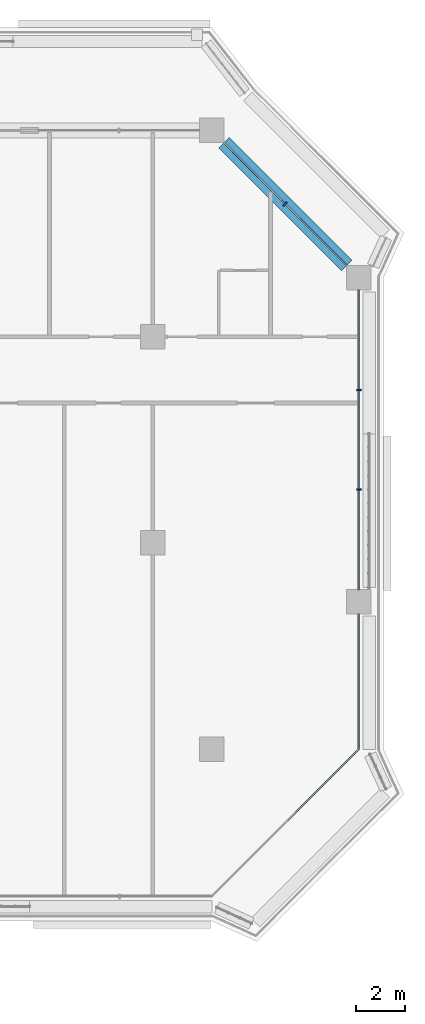
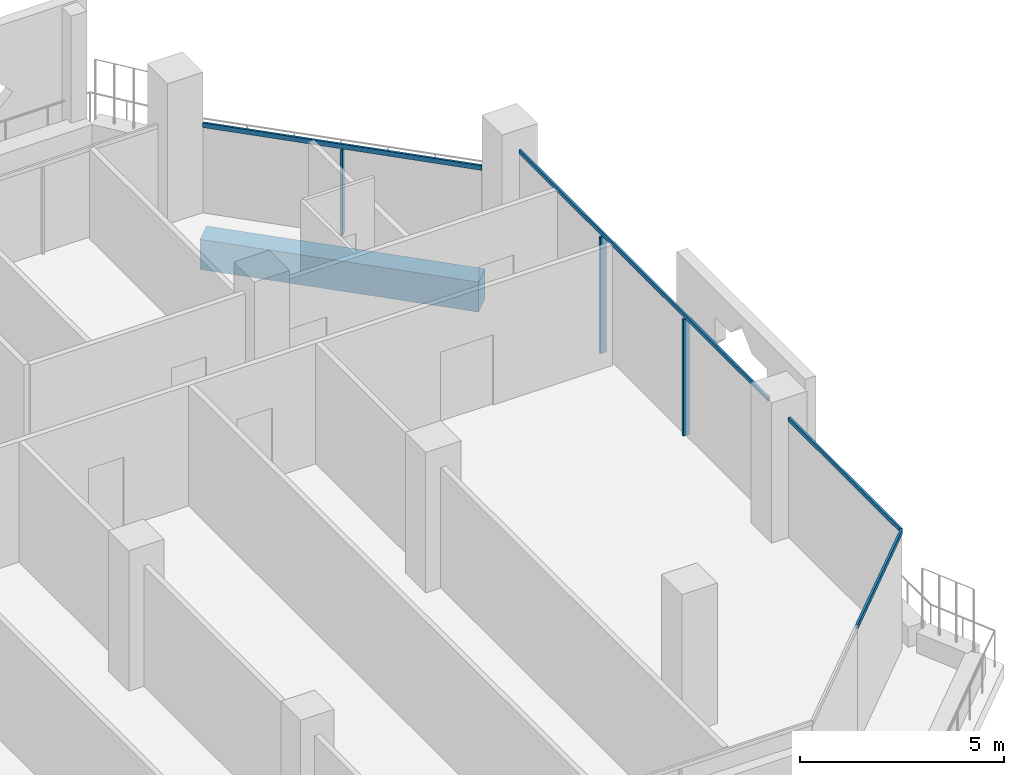
# One storey, part 7 of 21: 7 members, 1 beam, 3 elements without a shape of their own.
"""IFC4 building model written with IfcOpenShell, lengths in metres."""

from ifc_helpers import new_model, si_unit, direction, frame, origin, origin_2d, place, context, subcontext, project, spatial, rectangle, extrude, material, layer, layer_set, material_profile, profile_set, type_object, element, aggregate, save


model = new_model("IFC4")

# Units and contexts
model_context = context("Model", 3, precision=1e-05, world=origin(), true_north=direction((0.0, 1.0)))
body_context = subcontext(model_context, "Body", "Model", "MODEL_VIEW")
ifc_project = project(units=[si_unit("LENGTHUNIT", "METRE"), si_unit("AREAUNIT", "SQUARE_METRE"), si_unit("VOLUMEUNIT", "CUBIC_METRE"), si_unit("PLANEANGLEUNIT", "RADIAN"), si_unit("MASSUNIT", "GRAM", prefix="KILO")], contexts=[model_context])

# Site, building, storey
site_placement = place(None, origin())
site = spatial("IfcSite", under=ifc_project, at=site_placement, CompositionType="ELEMENT")
building_placement = place(site_placement, origin())
building = spatial("IfcBuilding", under=site, at=building_placement, Name="Kawkab Arch Medical Tower", CompositionType="ELEMENT")
storey_placement = place(building_placement, frame((0.0, 0.0, 200.39990234375)))
storey = spatial("IfcBuildingStorey", under=building, at=storey_placement, Name="L46", CompositionType="ELEMENT", Elevation=200.39990234375)

# Curtain wall, members
ifc_material_1 = material(Name="Bronze anodised aluminium curtain wall frame", Category="aluminium")
ifc_layer_1 = layer(ifc_material_1, 0.159912109375)
ifc_layer_set_1 = layer_set([ifc_layer_1], Name="Bronze anodised aluminium curtain wall frame")
curtain_wall_type_1 = type_object("IfcCurtainWallType", Name="CW1 ward curtain wall", PredefinedType="NOTDEFINED", material=ifc_layer_set_1)
placement = place(storey_placement, origin())
curtain_wall_1 = element("IfcCurtainWall", 1, at=placement, inside=storey, type_object=curtain_wall_type_1, Name="CW1 Ward curtain wall R09", PredefinedType="NOTDEFINED")
ifc_material_2 = material(Name="Bronze anodised aluminium curtain wall frame", Category="aluminium")
ifc_material_profile_1 = material_profile(ifc_material_2, rectangle(XDim=0.179931640625, YDim=0.06005859375, at=origin_2d()), Name="AL 60x180")
ifc_profile_set_1 = profile_set([ifc_material_profile_1], Name="Bronze anodised aluminium curtain wall frame")
member_type_1 = type_object("IfcMemberType", Name="CW1 mullion 60 x 180", PredefinedType="MULLION", material=ifc_profile_set_1)
member_1_placement = place(storey_placement, frame((67.199951171875, -14.63330078125, 0.0), z_axis=(0.0, 0.0, 1.0), x_axis=(-1.0, 0.0, 0.0)))
member_1 = element("IfcMember", 2, at=member_1_placement, type_object=member_type_1, Name="CW1 mullion 2.1", PredefinedType="MULLION", context=body_context, shape_type="SweptSolid", body=[
    extrude(rectangle(XDim=0.179931640625, YDim=0.06005859375, at=origin_2d()), origin(), (0.0, 0.0, 1.0), 3.47998046875),
])
member_2_placement = place(storey_placement, frame((67.199951171875, -10.566650390625, 0.0), z_axis=(0.0, 0.0, 1.0), x_axis=(-1.0, 0.0, 0.0)))
member_2 = element("IfcMember", 3, at=member_2_placement, type_object=member_type_1, Name="CW1 mullion 2.2", PredefinedType="MULLION", context=body_context, shape_type="SweptSolid", body=[
    extrude(rectangle(XDim=0.179931640625, YDim=0.06005859375, at=origin_2d()), origin(), (0.0, 0.0, 1.0), 3.47998046875),
])
ifc_material_3 = material(Name="Bronze anodised aluminium curtain wall frame", Category="aluminium")
ifc_material_profile_2 = material_profile(ifc_material_3, rectangle(XDim=0.06005859375, YDim=0.1201171875, at=origin_2d()), Name="AL 60x120")
ifc_profile_set_2 = profile_set([ifc_material_profile_2], Name="Bronze anodised aluminium curtain wall frame")
member_type_2 = type_object("IfcMemberType", Name="CW1 transom 120 x 60", PredefinedType="USERDEFINED", material=ifc_profile_set_2)
member_3_placement = place(storey_placement, frame((67.199951171875, -25.199951171875, 3.5400390625), z_axis=(0.0, 1.0, 0.0), x_axis=(-1.0, 0.0, 0.0)))
member_3 = element("IfcMember", 4, at=member_3_placement, type_object=member_type_2, Name="CW1 transom 1", ObjectType="TRANSOM", PredefinedType="USERDEFINED", context=body_context, shape_type="SweptSolid", body=[
    extrude(rectangle(XDim=0.06005859375, YDim=0.1201171875, at=origin_2d()), origin(), (0.0, 0.0, 1.0), 5.5),
])
member_4_placement = place(storey_placement, frame((67.199951171875, -18.699951171875, 3.5400390625), z_axis=(0.0, 1.0, 0.0), x_axis=(-1.0, 0.0, 0.0)))
member_4 = element("IfcMember", 5, at=member_4_placement, type_object=member_type_2, Name="CW1 transom 2", ObjectType="TRANSOM", PredefinedType="USERDEFINED", context=body_context, shape_type="SweptSolid", body=[
    extrude(rectangle(XDim=0.06005859375, YDim=0.1201171875, at=origin_2d()), origin(), (0.0, 0.0, 1.0), 12.199951171875),
])
aggregate(curtain_wall_1, [member_3, member_4, member_1, member_2])

# Curtain wall, member
ifc_material_4 = material(Name="Bronze anodised aluminium curtain wall frame", Category="aluminium")
ifc_layer_2 = layer(ifc_material_4, 0.159912109375)
ifc_layer_set_2 = layer_set([ifc_layer_2], Name="Bronze anodised aluminium curtain wall frame")
curtain_wall_type_2 = type_object("IfcCurtainWallType", Name="CW2 chamfer curtain wall", PredefinedType="NOTDEFINED", material=ifc_layer_set_2)
curtain_wall_2 = element("IfcCurtainWall", 6, at=placement, inside=storey, type_object=curtain_wall_type_2, Name="CW2 Chamfer curtain wall R10", PredefinedType="NOTDEFINED")
ifc_material_5 = material(Name="Bronze anodised aluminium curtain wall frame", Category="aluminium")
ifc_material_profile_3 = material_profile(ifc_material_5, rectangle(XDim=0.199951171875, YDim=0.06005859375, at=origin_2d()), Name="AL 60x200")
ifc_profile_set_3 = profile_set([ifc_material_profile_3], Name="Bronze anodised aluminium curtain wall frame")
member_type_3 = type_object("IfcMemberType", Name="CW2 mullion 60 x 200", PredefinedType="MULLION", material=ifc_profile_set_3)
member_5_placement = place(storey_placement, frame((64.199951171875, -3.0, 0.0), z_axis=(0.0, 0.0, 1.0), x_axis=(-0.707106781187, -0.707106781187, 0.0)))
member_5 = element("IfcMember", 7, at=member_5_placement, type_object=member_type_3, Name="CW2 mullion 1.1", PredefinedType="MULLION", context=body_context, shape_type="SweptSolid", body=[
    extrude(rectangle(XDim=0.199951171875, YDim=0.06005859375, at=origin_2d()), origin(), (0.0, 0.0, 1.0), 2.56005859375),
])

curtain_wall_3 = element("IfcCurtainWall", 8, at=placement, inside=storey, type_object=curtain_wall_type_2, Name="CW2 Chamfer curtain wall R08", PredefinedType="NOTDEFINED")
ifc_material_6 = material(Name="Bronze anodised aluminium curtain wall frame", Category="aluminium")
ifc_material_profile_4 = material_profile(ifc_material_6, rectangle(XDim=0.06005859375, YDim=0.139892578125, at=origin_2d()), Name="AL 60x140")
ifc_profile_set_4 = profile_set([ifc_material_profile_4], Name="Bronze anodised aluminium curtain wall frame")
member_type_4 = type_object("IfcMemberType", Name="CW2 transom 140 x 60", PredefinedType="USERDEFINED", material=ifc_profile_set_4)
member_6_placement = place(storey_placement, frame((64.199951171875, -28.199951171875, 3.530029296875), z_axis=(0.707106781187, 0.707106781187, 0.0), x_axis=(-0.707106781187, 0.707106781187, 0.0)))
member_6 = element("IfcMember", 9, at=member_6_placement, type_object=member_type_4, Name="CW2 transom 2", ObjectType="TRANSOM", PredefinedType="USERDEFINED", context=body_context, shape_type="SweptSolid", body=[
    extrude(rectangle(XDim=0.06005859375, YDim=0.139892578125, at=origin_2d()), origin(), (0.0, 0.0, 1.0), 4.24267578125),
])
aggregate(curtain_wall_3, [member_6])

# Member
member_7_placement = place(storey_placement, frame((66.699951171875, -5.5, 2.630126953125), z_axis=(-0.707106781187, 0.707106781187, 0.0), x_axis=(-0.707106781187, -0.707106781187, 0.0)))
member_7 = element("IfcMember", 10, at=member_7_placement, type_object=member_type_4, Name="CW2 transom 1", ObjectType="TRANSOM", PredefinedType="USERDEFINED", context=body_context, shape_type="SweptSolid", body=[
    extrude(rectangle(XDim=0.06005859375, YDim=0.139892578125, at=origin_2d()), origin(), (0.0, 0.0, 1.0), 7.071044921875),
])

aggregate(curtain_wall_2, [member_7, member_5])

# Beam
ifc_material_7 = material(Name="Concrete C50/60", Category="concrete")
ifc_material_profile_5 = material_profile(ifc_material_7, rectangle(XDim=0.60009765625, YDim=0.89990234375, at=origin_2d()), Name="RC 600x900")
ifc_profile_set_5 = profile_set([ifc_material_profile_5], Name="Concrete C50/60")
beam_type = type_object("IfcBeamType", Name="RC 600x900 beam C50/60", PredefinedType="BEAM", material=ifc_profile_set_5)
beam_placement = place(storey_placement, frame((61.699951171875, -0.5, -1.0498046875), z_axis=(0.707106781187, -0.707106781187, 0.0), x_axis=(0.707106781187, 0.707106781187, 0.0)))
element("IfcBeam", 11, at=beam_placement, inside=storey, type_object=beam_type, Name="Overhang edge beam L46-08", PredefinedType="BEAM", context=body_context, shape_type="SweptSolid", body=[
    extrude(rectangle(XDim=0.60009765625, YDim=0.89990234375, at=origin_2d()), origin(), (0.0, 0.0, 1.0), 7.071044921875),
])

save(model, "model.ifc")
